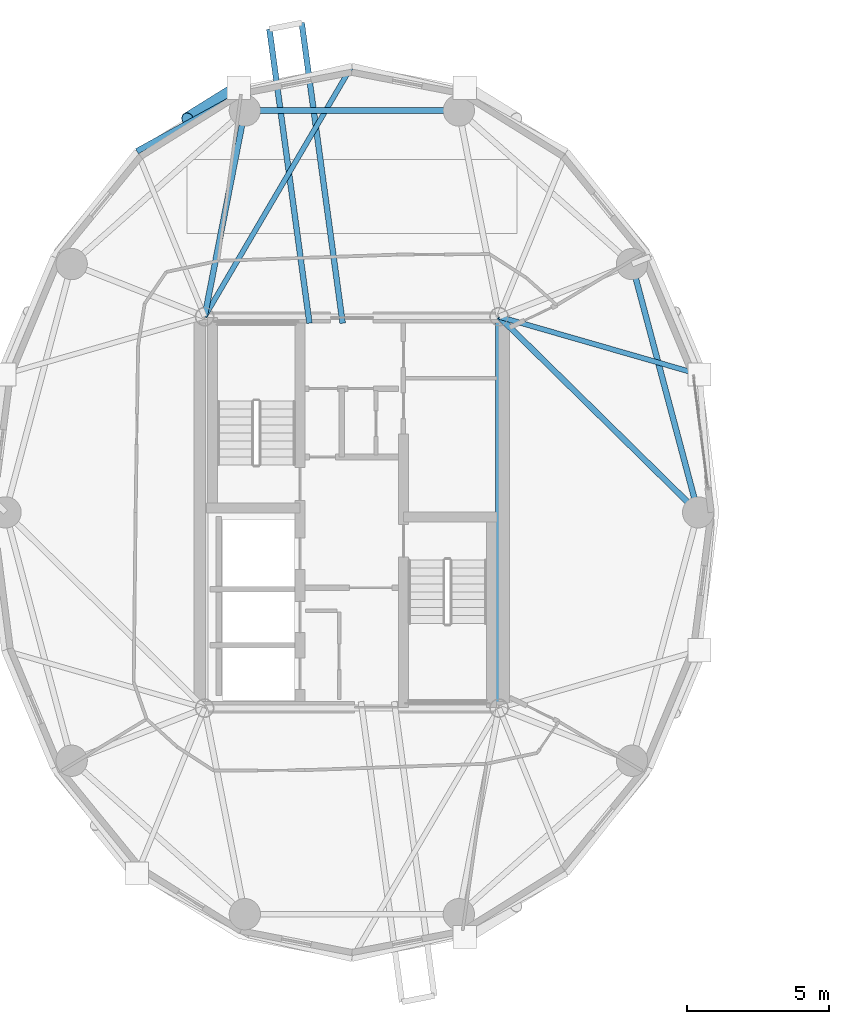
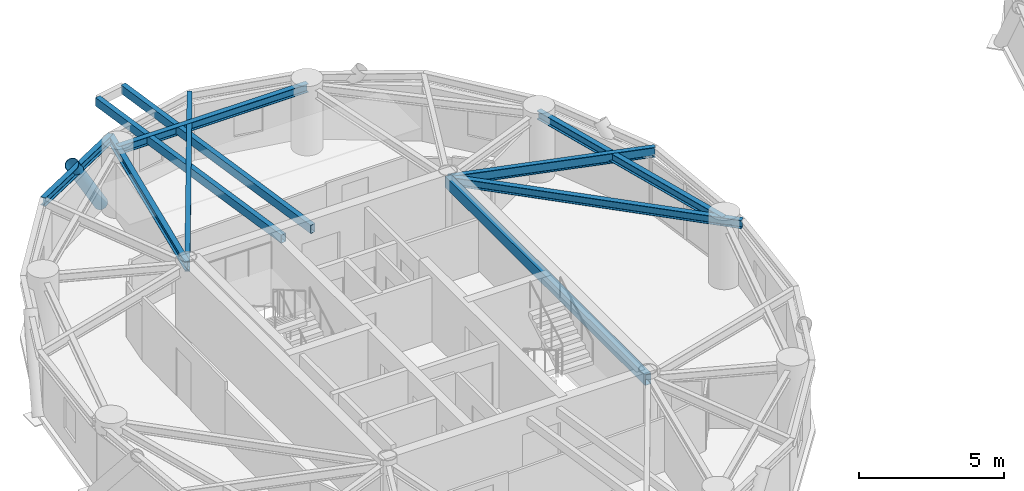
# One storey, part 2 of 14: 10 beams, 1 member.
"""IFC4 building model written with IfcOpenShell, lengths in metres."""

from ifc_helpers import new_model, si_unit, direction, frame, origin, origin_2d, place, context, subcontext, project, spatial, hollow_rectangle, hollow_circle, i_section, extrude, material, material_profile, profile_set, type_object, element, save


model = new_model("IFC4")

# Units and contexts
model_context = context("Model", 3, precision=1e-05, world=origin(), true_north=direction((0.0, 1.0)))
body_context = subcontext(model_context, "Body", "Model", "MODEL_VIEW")
ifc_project = project(units=[si_unit("LENGTHUNIT", "METRE"), si_unit("AREAUNIT", "SQUARE_METRE"), si_unit("VOLUMEUNIT", "CUBIC_METRE"), si_unit("PLANEANGLEUNIT", "RADIAN"), si_unit("MASSUNIT", "GRAM", prefix="KILO")], contexts=[model_context])

# Site, building, storey
site_placement = place(None, origin())
site = spatial("IfcSite", under=ifc_project, at=site_placement, CompositionType="ELEMENT")
building_placement = place(site_placement, origin())
building = spatial("IfcBuilding", under=site, at=building_placement, Name="Cununo Teusaquillo Station Towers", CompositionType="ELEMENT")
storey_placement = place(building_placement, frame((0.0, 0.0, 202.47998046875)))
storey = spatial("IfcBuildingStorey", under=building, at=storey_placement, Name="L64", CompositionType="ELEMENT", Elevation=202.47998046875)

# Beams
ifc_material_1 = material(Name="Steel EN 10025-2 S355J2", Category="steel")
ifc_material_profile_1 = material_profile(ifc_material_1, hollow_rectangle(XDim=0.199951171875, YDim=0.35009765625, WallThickness=0.013916015625, at=origin_2d()), Name="RHS 350x200x14")
ifc_profile_set_1 = profile_set([ifc_material_profile_1], Name="Steel EN 10025-2 S355J2")
beam_type_1 = type_object("IfcBeamType", Name="BM-BAL-CANT", PredefinedType="BEAM", material=ifc_profile_set_1)
beam_1_placement = place(storey_placement, frame((16.177001953125, 31.14990234375, 2.52490234375), z_axis=(-0.135006880627, 0.990844660975, 0.0), x_axis=(-0.990844660975, -0.135006880627, 0.0)))
element("IfcBeam", 1, at=beam_1_placement, inside=storey, type_object=beam_type_1, Name="L64 Tower A Balcony Cantilever Bracket 1A", PredefinedType="BEAM", context=body_context, shape_type="SweptSolid", body=[
    extrude(hollow_rectangle(XDim=0.199951171875, YDim=0.35009765625, WallThickness=0.013916015625, at=origin_2d()), origin(), (0.0, 0.0, 1.0), 10.65673828125),
])
beam_2_placement = place(storey_placement, frame((15.0107421875, 31.14990234375, 2.52490234375), z_axis=(-0.135018196505, 0.990843119072, 0.0), x_axis=(-0.990843119072, -0.135018196505, 0.0)))
element("IfcBeam", 2, at=beam_2_placement, inside=storey, type_object=beam_type_1, Name="L64 Tower A Balcony Cantilever Bracket 1B", PredefinedType="BEAM", context=body_context, shape_type="SweptSolid", body=[
    extrude(hollow_rectangle(XDim=0.199951171875, YDim=0.35009765625, WallThickness=0.013916015625, at=origin_2d()), origin(), (0.0, 0.0, 1.0), 10.43505859375),
])
ifc_material_2 = material(Name="Steel EN 10025-2 S355J2", Category="steel")
ifc_material_profile_2 = material_profile(ifc_material_2, hollow_rectangle(XDim=0.25, YDim=0.449951171875, WallThickness=0.01611328125, at=origin_2d()), Name="RHS 450x250x16")
ifc_profile_set_2 = profile_set([ifc_material_profile_2], Name="Steel EN 10025-2 S355J2")
beam_type_2 = type_object("IfcBeamType", Name="BM-COUP-1", PredefinedType="USERDEFINED", material=ifc_profile_set_2)
beam_3_placement = place(storey_placement, frame((21.675048828125, 17.6201171875, 2.47509765625), z_axis=(0.0, 1.0, 0.0), x_axis=(-1.0, 0.0, 0.0)))
element("IfcBeam", 3, at=beam_3_placement, inside=storey, type_object=beam_type_2, Name="L64 Tower A Core Beam 2", ObjectType="COUPLING BEAM", PredefinedType="USERDEFINED", context=body_context, shape_type="SweptSolid", body=[
    extrude(hollow_rectangle(XDim=0.25, YDim=0.449951171875, WallThickness=0.01611328125, at=origin_2d()), origin(), (0.0, 0.0, 1.0), 13.759765625),
])
ifc_material_3 = material(Name="Steel ASTM A572 Grade 50", Category="steel")
ifc_material_profile_3 = material_profile(ifc_material_3, i_section(OverallWidth=0.180908203125, OverallDepth=0.4169921875, WebThickness=0.010986328125, FlangeThickness=0.018310546875, FilletRadius=0.012939453125, at=origin_2d()), Name="W16X57")
ifc_profile_set_3 = profile_set([ifc_material_profile_3], Name="Steel ASTM A572 Grade 50")
beam_type_3 = type_object("IfcBeamType", Name="BM-JOIST-1", PredefinedType="JOIST", material=ifc_profile_set_3)
beam_4_placement = place(storey_placement, frame((21.675048828125, 31.3798828125, 2.491455078125), z_axis=(0.960861603375, -0.277028841748, 0.0), x_axis=(0.277028841748, 0.960861603375, 0.0)))
element("IfcBeam", 4, at=beam_4_placement, inside=storey, type_object=beam_type_3, Name="L64 Tower A Radial Spandrel Joist V01", PredefinedType="JOIST", context=body_context, shape_type="SweptSolid", body=[
    extrude(i_section(OverallWidth=0.180908203125, OverallDepth=0.4169921875, WebThickness=0.010986328125, FlangeThickness=0.018310546875, FilletRadius=0.012939453125, at=origin_2d()), origin(), (0.0, 0.0, 1.0), 7.333251953125),
])
beam_5_placement = place(storey_placement, frame((11.324951171875, 31.3798828125, 2.491455078125), z_axis=(0.506486432091, 0.862247930765, 0.0), x_axis=(-0.862247930765, 0.506486432091, 0.0)))
element("IfcBeam", 5, at=beam_5_placement, inside=storey, type_object=beam_type_3, Name="L64 Tower A Radial Spandrel Joist V05", PredefinedType="JOIST", context=body_context, shape_type="SweptSolid", body=[
    extrude(i_section(OverallWidth=0.180908203125, OverallDepth=0.4169921875, WebThickness=0.010986328125, FlangeThickness=0.018310546875, FilletRadius=0.012939453125, at=origin_2d()), origin(), (0.0, 0.0, 1.0), 10.217529296875),
])
ifc_material_4 = material(Name="Steel ASTM A572 Grade 50", Category="steel")
ifc_material_profile_4 = material_profile(ifc_material_4, i_section(OverallWidth=0.2041015625, OverallDepth=0.35009765625, WebThickness=0.008544921875, FlangeThickness=0.01513671875, FilletRadius=0.011962890625, at=origin_2d()), Name="W14X48")
ifc_profile_set_4 = profile_set([ifc_material_profile_4], Name="Steel ASTM A572 Grade 50")
beam_type_4 = type_object("IfcBeamType", Name="BM-RAD-G3", PredefinedType="BEAM", material=ifc_profile_set_4)
beam_6_placement = place(storey_placement, frame((21.675048828125, 31.3798828125, 2.52490234375), z_axis=(0.713043510712, -0.701119784225, 0.0), x_axis=(0.701119784225, 0.713043510712, 0.0)))
element("IfcBeam", 6, at=beam_6_placement, inside=storey, type_object=beam_type_4, Name="L64 Tower A Continuous Overhanging Radial Girder 01", PredefinedType="BEAM", context=body_context, shape_type="SweptSolid", body=[
    extrude(i_section(OverallWidth=0.2041015625, OverallDepth=0.35009765625, WebThickness=0.008544921875, FlangeThickness=0.01513671875, FilletRadius=0.011962890625, at=origin_2d()), origin(), (0.0, 0.0, 1.0), 10.462890625),
])
beam_7_placement = place(storey_placement, frame((11.324951171875, 31.3798828125, 2.52490234375), z_axis=(0.191548487699, 0.981483151593, 0.0), x_axis=(-0.981483151593, 0.191548487699, 0.0)))
element("IfcBeam", 7, at=beam_7_placement, inside=storey, type_object=beam_type_4, Name="L64 Tower A Continuous Overhanging Radial Girder 04", PredefinedType="BEAM", context=body_context, shape_type="SweptSolid", body=[
    extrude(i_section(OverallWidth=0.2041015625, OverallDepth=0.35009765625, WebThickness=0.008544921875, FlangeThickness=0.01513671875, FilletRadius=0.011962890625, at=origin_2d()), origin(), (0.0, 0.0, 1.0), 8.1240234375),
])
ifc_material_5 = material(Name="Steel ASTM A572 Grade 50", Category="steel")
ifc_material_profile_5 = material_profile(ifc_material_5, i_section(OverallWidth=0.2041015625, OverallDepth=0.35009765625, WebThickness=0.008544921875, FlangeThickness=0.01513671875, FilletRadius=0.011962890625, at=origin_2d()), Name="W14X48")
ifc_profile_set_5 = profile_set([ifc_material_profile_5], Name="Steel ASTM A572 Grade 50")
beam_type_5 = type_object("IfcBeamType", Name="BM-RING-Z4", PredefinedType="SPANDREL", material=ifc_profile_set_5)
beam_8_placement = place(storey_placement, frame((28.672119140625, 24.5, 2.52490234375), z_axis=(-0.257363196347, 0.966314744359, 0.0), x_axis=(-0.966314744359, -0.257363196347, 0.0)))
element("IfcBeam", 8, at=beam_8_placement, inside=storey, type_object=beam_type_5, Name="L64 Tower A Structural Column Ring Girder 01", PredefinedType="SPANDREL", context=body_context, shape_type="SweptSolid", body=[
    extrude(i_section(OverallWidth=0.2041015625, OverallDepth=0.35009765625, WebThickness=0.008544921875, FlangeThickness=0.01513671875, FilletRadius=0.011962890625, at=origin_2d()), origin(), (0.0, 0.0, 1.0), 9.03271484375),
])
beam_9_placement = place(storey_placement, frame((20.261474609375, 38.623291015625, 2.52490234375), z_axis=(-1.0, 0.0, 0.0), x_axis=(0.0, -1.0, 0.0)))
element("IfcBeam", 9, at=beam_9_placement, inside=storey, type_object=beam_type_5, Name="L64 Tower A Structural Column Ring Girder 03", PredefinedType="SPANDREL", context=body_context, shape_type="SweptSolid", body=[
    extrude(i_section(OverallWidth=0.2041015625, OverallDepth=0.35009765625, WebThickness=0.008544921875, FlangeThickness=0.01513671875, FilletRadius=0.011962890625, at=origin_2d()), origin(), (0.0, 0.0, 1.0), 7.52294921875),
])
beam_10_placement = place(storey_placement, frame((12.881103515625, 39.353515625, 2.52490234375), z_axis=(-0.876576300909, -0.481262910149, 0.0), x_axis=(0.481262910149, -0.876576300909, 0.0)))
element("IfcBeam", 10, at=beam_10_placement, inside=storey, type_object=beam_type_5, Name="L64 Tower A Spandrel Ring Beam 07", PredefinedType="SPANDREL", context=body_context, shape_type="SweptSolid", body=[
    extrude(i_section(OverallWidth=0.2041015625, OverallDepth=0.35009765625, WebThickness=0.008544921875, FlangeThickness=0.01513671875, FilletRadius=0.011962890625, at=origin_2d()), origin(), (0.0, 0.0, 1.0), 4.488037109375),
])

# Member
ifc_material_6 = material(Name="Steel EN 10025-2 S355J2", Category="steel")
ifc_material_profile_6 = material_profile(ifc_material_6, hollow_circle(Radius=0.25390625, WallThickness=0.01806640625, at=origin_2d()), Name="CHS 508x18")
ifc_profile_set_6 = profile_set([ifc_material_profile_6], Name="Steel EN 10025-2 S355J2")
member_type = type_object("IfcMemberType", Name="MBR-DIAG-Z4", PredefinedType="BRACE", material=ifc_profile_set_6)
member_placement = place(storey_placement, frame((12.529052734375, 39.422119140625, -0.139892578125), z_axis=(-0.498333742466, -0.310032061152, 0.809656471708), x_axis=(0.528249968439, -0.849088906325, 0.0)))
element("IfcMember", 11, at=member_placement, inside=storey, type_object=member_type, Name="L64 Tower A Folded-Zigzag Diagrid Tube C06", PredefinedType="BRACE", context=body_context, shape_type="SweptSolid", body=[
    extrude(hollow_circle(Radius=0.25390625, WallThickness=0.01806640625, at=origin_2d()), origin(), (0.0, 0.0, 1.0), 3.593994140625),
])

save(model, "model.ifc")
